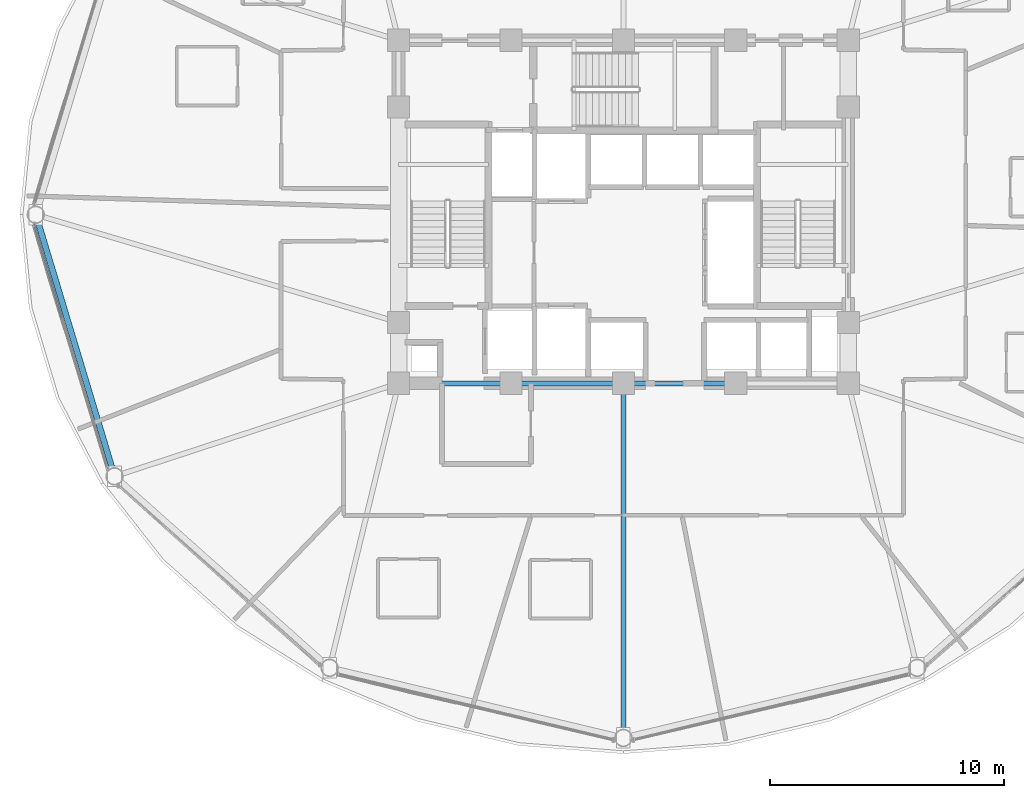
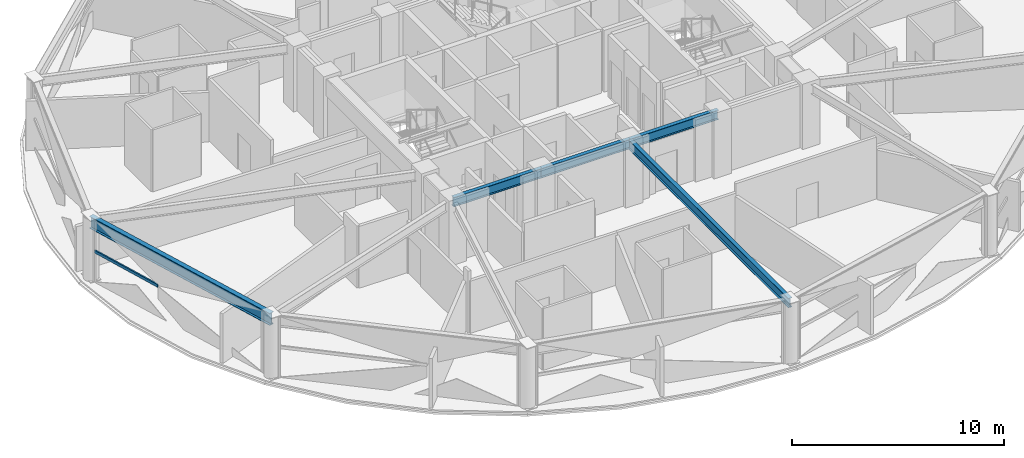
# One storey, part 6 of 30: 5 beams, 1 member, 1 element without a shape of its own.
"""IFC4 building model written with IfcOpenShell, lengths in metres."""

from ifc_helpers import new_model, si_unit, direction, frame, origin, origin_2d, place, context, subcontext, project, spatial, hollow_rectangle, i_section, extrude, material, layer, layer_set, material_profile, profile_set, type_object, element, aggregate, save


model = new_model("IFC4")

# Units and contexts
model_context = context("Model", 3, precision=1e-05, world=origin(), true_north=direction((0.0, 1.0)))
body_context = subcontext(model_context, "Body", "Model", "MODEL_VIEW")
ifc_project = project(units=[si_unit("LENGTHUNIT", "METRE"), si_unit("AREAUNIT", "SQUARE_METRE"), si_unit("VOLUMEUNIT", "CUBIC_METRE"), si_unit("PLANEANGLEUNIT", "RADIAN"), si_unit("MASSUNIT", "GRAM", prefix="KILO")], contexts=[model_context])

# Site, building, storey
site_placement = place(None, origin())
site = spatial("IfcSite", under=ifc_project, at=site_placement, CompositionType="ELEMENT")
building_placement = place(site_placement, origin())
building = spatial("IfcBuilding", under=site, at=building_placement, Name="Vantalir Tower", CompositionType="ELEMENT")
storey_placement = place(building_placement, frame((0.0, 0.0, 130.949951171875)))
storey = spatial("IfcBuildingStorey", under=building, at=storey_placement, Name="L32", CompositionType="ELEMENT", Elevation=130.949951171875)

# Beams
ifc_material_1 = material(Name="Steel S355", Category="steel")
ifc_material_profile_1 = material_profile(ifc_material_1, i_section(OverallWidth=0.2109375, OverallDepth=0.5390625, WebThickness=0.01171875, FlangeThickness=0.018798828125, at=origin_2d()), Name="Steel S355")
ifc_profile_set_1 = profile_set([ifc_material_profile_1], Name="Steel S355")
beam_type_1 = type_object("IfcBeamType", Name="BM-RB-533x210", PredefinedType="BEAM", material=ifc_profile_set_1)
for number, where, z_axis, x_axis, name in (
    (1, (21.89990234375, 17.800048828125, 3.301025390625), (1.0, 0.0, 0.0), (0.0, 1.0, 0.0), "L32 Core Coupling Girder 01"),
    (2, (26.699951171875, 17.800048828125, 3.301025390625), (1.0, 0.0, 0.0), (0.0, 1.0, 0.0), "L32 Core Coupling Girder 02"),
    (3, (31.5, 17.800048828125, 3.301025390625), (1.0, 0.0, 0.0), (0.0, 1.0, 0.0), "L32 Core Coupling Girder 03"),
):
    element("IfcBeam", number, at=place(storey_placement, frame(where, z_axis=z_axis, x_axis=x_axis)), inside=storey, type_object=beam_type_1, Name=name, PredefinedType="BEAM", context=body_context, shape_type="SweptSolid", body=[
        extrude(i_section(OverallWidth=0.2109375, OverallDepth=0.5390625, WebThickness=0.01171875, FlangeThickness=0.018798828125, at=origin_2d()), origin(), (0.0, 0.0, 1.0), 4.800048828125),
    ])
beam_1_placement = place(storey_placement, frame((31.5, 2.655029296875, 3.301025390625), z_axis=(0.0, 1.0, 0.0), x_axis=(-1.0, 0.0, 0.0)))
element("IfcBeam", 4, at=beam_1_placement, inside=storey, type_object=beam_type_1, Name="L32 Radial Floor Beam 10", PredefinedType="BEAM", context=body_context, shape_type="SweptSolid", body=[
    extrude(i_section(OverallWidth=0.2109375, OverallDepth=0.5390625, WebThickness=0.01171875, FlangeThickness=0.018798828125, at=origin_2d()), origin(), (0.0, 0.0, 1.0), 15.14501953125),
])
ifc_material_2 = material(Name="Steel S460", Category="steel")
ifc_material_profile_2 = material_profile(ifc_material_2, i_section(OverallWidth=0.256103515625, OverallDepth=0.693115234375, WebThickness=0.014404296875, FlangeThickness=0.023681640625, at=origin_2d()), Name="Steel S460")
ifc_profile_set_2 = profile_set([ifc_material_profile_2], Name="Steel S460")
beam_type_2 = type_object("IfcBeamType", Name="BM-RG-686x254", PredefinedType="USERDEFINED", material=ifc_profile_set_2)
beam_2_placement = place(storey_placement, frame((6.406982421875, 25.0, 3.22412109375), z_axis=(0.288144433967, -0.957586959588, 0.0), x_axis=(0.957586959588, 0.288144433967, 0.0)))
element("IfcBeam", 5, at=beam_2_placement, inside=storey, type_object=beam_type_2, Name="L32 Circumferential Ring Girder 07", ObjectType="GIRDER", PredefinedType="USERDEFINED", context=body_context, shape_type="SweptSolid", body=[
    extrude(i_section(OverallWidth=0.256103515625, OverallDepth=0.693115234375, WebThickness=0.014404296875, FlangeThickness=0.023681640625, at=origin_2d()), origin(), (0.0, 0.0, 1.0), 11.66796875),
])

# Curtain wall, member
ifc_material_3 = material(Name="Champagne-silver PVDF aluminium and double-silver Low-E glass", Category="aluminium")
ifc_layer = layer(ifc_material_3, 0.199951171875)
ifc_layer_set = layer_set([ifc_layer], Name="Champagne-silver PVDF aluminium and double-silver Low-E glass")
curtain_wall_type = type_object("IfcCurtainWallType", Name="CW-DIAMOND-Z2", PredefinedType="USERDEFINED", material=ifc_layer_set)
curtain_wall_placement = place(storey_placement, origin())
curtain_wall = element("IfcCurtainWall", 6, at=curtain_wall_placement, inside=storey, type_object=curtain_wall_type, Name="L32 Quilted Pyramid-Diamond Curtain Wall S07", ObjectType="UNITISED CURTAIN WALL", PredefinedType="USERDEFINED")
ifc_material_4 = material(Name="Champagne-silver PVDF aluminium 6063-T6", Category="aluminium")
ifc_material_profile_3 = material_profile(ifc_material_4, hollow_rectangle(XDim=0.074951171875, YDim=0.159912109375, WallThickness=0.00390625, at=origin_2d()), Name="Champagne-silver PVDF aluminium 6063-T6")
ifc_profile_set_3 = profile_set([ifc_material_profile_3], Name="Champagne-silver PVDF aluminium 6063-T6")
member_type = type_object("IfcMemberType", Name="CWT-160x75", PredefinedType="USERDEFINED", material=ifc_profile_set_3)
member_placement = place(storey_placement, frame((6.343994140625, 24.5791015625, 1.78515625), z_axis=(0.282278223801, -0.959332582772, 0.0), x_axis=(0.959332582772, 0.282278223801, 0.0)))
member = element("IfcMember", 7, at=member_placement, type_object=member_type, Name="CW-L32-S07 Pyramid Fold Ridge Transom", ObjectType="TRANSOM", PredefinedType="USERDEFINED", context=body_context, shape_type="SweptSolid", body=[
    extrude(hollow_rectangle(XDim=0.074951171875, YDim=0.159912109375, WallThickness=0.00390625, at=origin_2d()), origin(), (0.0, 0.0, 1.0), 4.13427734375),
])
aggregate(curtain_wall, [member])

save(model, "model.ifc")
